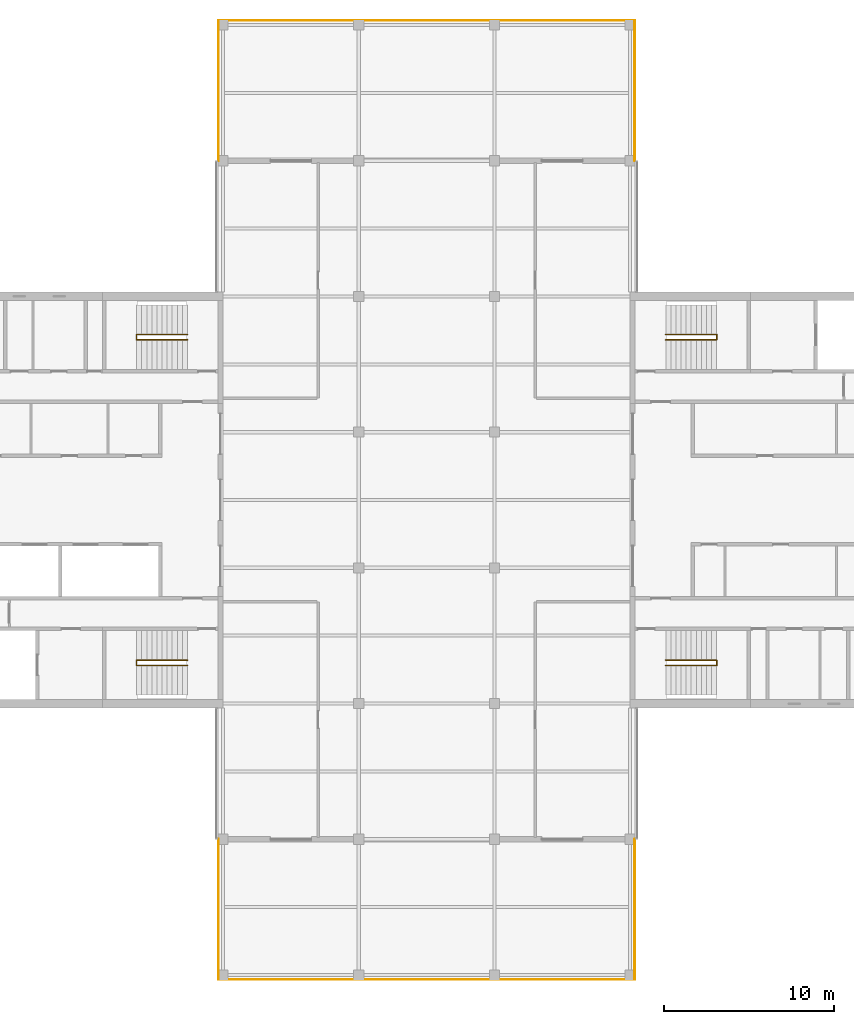
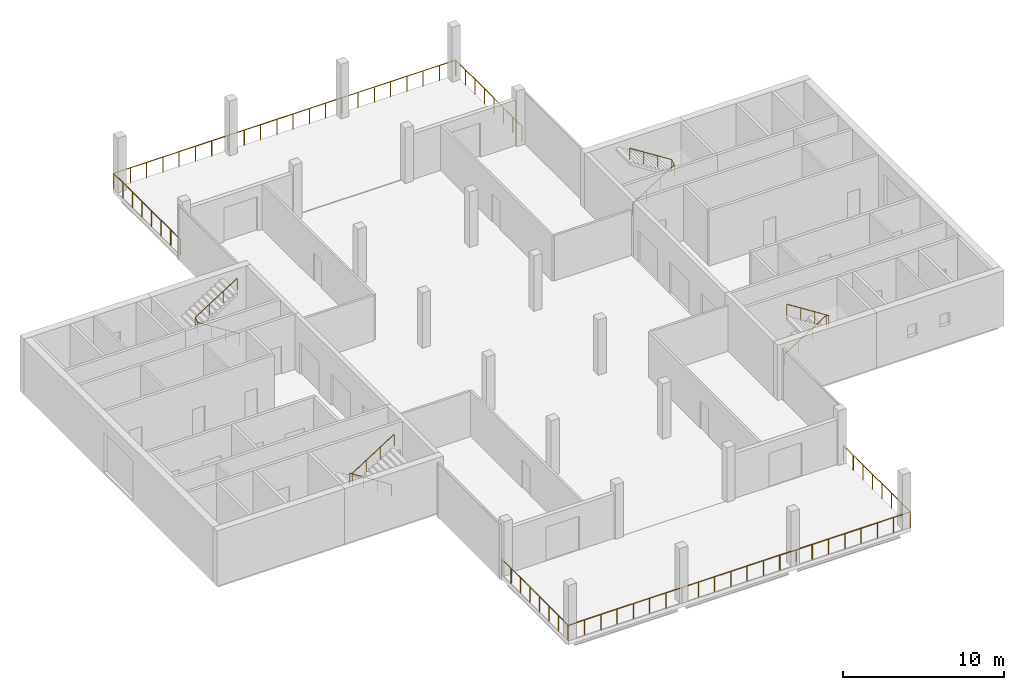
# One storey, part 12 of 12: 10 railings.
"""IFC4 building model written with IfcOpenShell, lengths in metres."""

from ifc_helpers import new_model, si_unit, direction, frame, origin, origin_2d, place, context, subcontext, project, spatial, circle, extrude, material, type_object, element, save


model = new_model("IFC4")

# Units and contexts
model_context = context("Model", 3, precision=1e-05, world=origin(), true_north=direction((0.0, 1.0)))
body_context = subcontext(model_context, "Body", "Model", "MODEL_VIEW")
ifc_project = project(units=[si_unit("LENGTHUNIT", "METRE"), si_unit("AREAUNIT", "SQUARE_METRE"), si_unit("VOLUMEUNIT", "CUBIC_METRE"), si_unit("PLANEANGLEUNIT", "RADIAN"), si_unit("MASSUNIT", "GRAM", prefix="KILO")], contexts=[model_context])

# Site, building, storey
site_placement = place(None, origin())
site = spatial("IfcSite", under=ifc_project, at=site_placement, CompositionType="ELEMENT")
building_placement = place(site_placement, origin())
building = spatial("IfcBuilding", under=site, at=building_placement, Name="Crosswind Convention Tower", CompositionType="ELEMENT")
storey_placement = place(building_placement, frame((0.0, 0.0, 328.10009765625)))
storey = spatial("IfcBuildingStorey", under=building, at=storey_placement, Name="L71", CompositionType="ELEMENT", Elevation=328.10009765625)

# Railings
ifc_material_1 = material(Name="Stainless steel", Category="steel")
railing_type_1 = type_object("IfcRailingType", Name="Stair handrail 900", PredefinedType="HANDRAIL", material=ifc_material_1)
railing_1_placement = place(storey_placement, frame((139.10009765625, 109.43994140625, 0.19091796875)))
element("IfcRailing", 1, at=railing_1_placement, inside=storey, type_object=railing_type_1, Name="Stair ST1 handrail L71", PredefinedType="HANDRAIL", context=body_context, shape_type="SweptSolid", body=[
    extrude(circle(Radius=0.02392578125, at=origin_2d()), frame((0.0, 0.0, 0.8759765625), z_axis=(0.843681277094, 0.0, 0.536844393359), x_axis=(0.0, 1.0, 0.0)), (0.0, 0.0, 1.0), 3.555908203125),
    extrude(circle(Radius=0.02392578125, at=origin_2d()), frame((3.0, 0.0, 2.78466796875), z_axis=(0.0, 0.858819504967, 0.512278301208), x_axis=(-1.0, 0.0, 0.0)), (0.0, 0.0, 1.0), 0.372802734375),
    extrude(circle(Radius=0.02392578125, at=origin_2d()), frame((3.0, 0.320068359375, 2.9755859375), z_axis=(-0.843650179428, 0.0, 0.536893261973), x_axis=(0.0, -1.0, 0.0)), (0.0, 0.0, 1.0), 3.555908203125),
    extrude(circle(Radius=0.02099609375, at=origin_2d()), origin(), (0.0, 0.0, 1.0), 0.851806640625),
    extrude(circle(Radius=0.02099609375, at=origin_2d()), frame((1.0, 0.0, 0.63623046875)), (0.0, 0.0, 1.0), 0.851806640625),
    extrude(circle(Radius=0.02099609375, at=origin_2d()), frame((2.0, 0.0, 1.272705078125)), (0.0, 0.0, 1.0), 0.851806640625),
    extrude(circle(Radius=0.02099609375, at=origin_2d()), frame((3.0, 0.0, 1.908935546875)), (0.0, 0.0, 1.0), 0.851806640625),
    extrude(circle(Radius=0.02099609375, at=origin_2d()), frame((3.0, 0.320068359375, 2.099853515625)), (0.0, 0.0, 1.0), 0.851806640625),
    extrude(circle(Radius=0.02099609375, at=origin_2d()), frame((2.0, 0.320068359375, 2.736328125)), (0.0, 0.0, 1.0), 0.851806640625),
    extrude(circle(Radius=0.02099609375, at=origin_2d()), frame((1.0, 0.320068359375, 3.37255859375)), (0.0, 0.0, 1.0), 0.851806640625),
    extrude(circle(Radius=0.02099609375, at=origin_2d()), frame((0.0, 0.320068359375, 4.009033203125)), (0.0, 0.0, 1.0), 0.851806640625),
])
railing_2_placement = place(storey_placement, frame((139.10009765625, 90.56005859375, 0.19091796875)))
element("IfcRailing", 2, at=railing_2_placement, inside=storey, type_object=railing_type_1, Name="Stair ST2 handrail L71", PredefinedType="HANDRAIL", context=body_context, shape_type="SweptSolid", body=[
    extrude(circle(Radius=0.02392578125, at=origin_2d()), frame((0.0, 0.0, 0.8759765625), z_axis=(0.843681277094, 0.0, 0.536844393359), x_axis=(0.0, 1.0, 0.0)), (0.0, 0.0, 1.0), 3.555908203125),
    extrude(circle(Radius=0.02392578125, at=origin_2d()), frame((3.0, 0.0, 2.78466796875), z_axis=(0.0, -0.858819504967, 0.512278301208), x_axis=(1.0, 0.0, 0.0)), (0.0, 0.0, 1.0), 0.372802734375),
    extrude(circle(Radius=0.02392578125, at=origin_2d()), frame((3.0, -0.320068359375, 2.9755859375), z_axis=(-0.843650179428, 0.0, 0.536893261973), x_axis=(0.0, -1.0, 0.0)), (0.0, 0.0, 1.0), 3.555908203125),
    extrude(circle(Radius=0.02099609375, at=origin_2d()), origin(), (0.0, 0.0, 1.0), 0.851806640625),
    extrude(circle(Radius=0.02099609375, at=origin_2d()), frame((1.0, 0.0, 0.63623046875)), (0.0, 0.0, 1.0), 0.851806640625),
    extrude(circle(Radius=0.02099609375, at=origin_2d()), frame((2.0, 0.0, 1.272705078125)), (0.0, 0.0, 1.0), 0.851806640625),
    extrude(circle(Radius=0.02099609375, at=origin_2d()), frame((3.0, 0.0, 1.908935546875)), (0.0, 0.0, 1.0), 0.851806640625),
    extrude(circle(Radius=0.02099609375, at=origin_2d()), frame((3.0, -0.320068359375, 2.099853515625)), (0.0, 0.0, 1.0), 0.851806640625),
    extrude(circle(Radius=0.02099609375, at=origin_2d()), frame((2.0, -0.320068359375, 2.736328125)), (0.0, 0.0, 1.0), 0.851806640625),
    extrude(circle(Radius=0.02099609375, at=origin_2d()), frame((1.0, -0.320068359375, 3.37255859375)), (0.0, 0.0, 1.0), 0.851806640625),
    extrude(circle(Radius=0.02099609375, at=origin_2d()), frame((0.0, -0.320068359375, 4.009033203125)), (0.0, 0.0, 1.0), 0.851806640625),
])
railing_3_placement = place(storey_placement, frame((110.89990234375, 90.56005859375, 0.19091796875)))
element("IfcRailing", 3, at=railing_3_placement, inside=storey, type_object=railing_type_1, Name="Stair ST3 handrail L71", PredefinedType="HANDRAIL", context=body_context, shape_type="SweptSolid", body=[
    extrude(circle(Radius=0.02392578125, at=origin_2d()), frame((0.0, 0.0, 0.8759765625), z_axis=(-0.843681277094, 0.0, 0.536844393359), x_axis=(0.0, -1.0, 0.0)), (0.0, 0.0, 1.0), 3.555908203125),
    extrude(circle(Radius=0.02392578125, at=origin_2d()), frame((-3.0, 0.0, 2.78466796875), z_axis=(0.0, -0.858819504967, 0.512278301208), x_axis=(1.0, 0.0, 0.0)), (0.0, 0.0, 1.0), 0.372802734375),
    extrude(circle(Radius=0.02392578125, at=origin_2d()), frame((-3.0, -0.320068359375, 2.9755859375), z_axis=(0.843650179428, 0.0, 0.536893261973), x_axis=(0.0, 1.0, 0.0)), (0.0, 0.0, 1.0), 3.555908203125),
    extrude(circle(Radius=0.02099609375, at=origin_2d()), origin(), (0.0, 0.0, 1.0), 0.851806640625),
    extrude(circle(Radius=0.02099609375, at=origin_2d()), frame((-1.0, 0.0, 0.63623046875)), (0.0, 0.0, 1.0), 0.851806640625),
    extrude(circle(Radius=0.02099609375, at=origin_2d()), frame((-2.0, 0.0, 1.272705078125)), (0.0, 0.0, 1.0), 0.851806640625),
    extrude(circle(Radius=0.02099609375, at=origin_2d()), frame((-3.0, 0.0, 1.908935546875)), (0.0, 0.0, 1.0), 0.851806640625),
    extrude(circle(Radius=0.02099609375, at=origin_2d()), frame((-3.0, -0.320068359375, 2.099853515625)), (0.0, 0.0, 1.0), 0.851806640625),
    extrude(circle(Radius=0.02099609375, at=origin_2d()), frame((-2.0, -0.320068359375, 2.736328125)), (0.0, 0.0, 1.0), 0.851806640625),
    extrude(circle(Radius=0.02099609375, at=origin_2d()), frame((-1.0, -0.320068359375, 3.37255859375)), (0.0, 0.0, 1.0), 0.851806640625),
    extrude(circle(Radius=0.02099609375, at=origin_2d()), frame((0.0, -0.320068359375, 4.009033203125)), (0.0, 0.0, 1.0), 0.851806640625),
])
railing_4_placement = place(storey_placement, frame((110.89990234375, 109.43994140625, 0.19091796875)))
element("IfcRailing", 4, at=railing_4_placement, inside=storey, type_object=railing_type_1, Name="Stair ST4 handrail L71", PredefinedType="HANDRAIL", context=body_context, shape_type="SweptSolid", body=[
    extrude(circle(Radius=0.02392578125, at=origin_2d()), frame((0.0, 0.0, 0.8759765625), z_axis=(-0.843681277094, 0.0, 0.536844393359), x_axis=(0.0, -1.0, 0.0)), (0.0, 0.0, 1.0), 3.555908203125),
    extrude(circle(Radius=0.02392578125, at=origin_2d()), frame((-3.0, 0.0, 2.78466796875), z_axis=(0.0, 0.858819504967, 0.512278301208), x_axis=(-1.0, 0.0, 0.0)), (0.0, 0.0, 1.0), 0.372802734375),
    extrude(circle(Radius=0.02392578125, at=origin_2d()), frame((-3.0, 0.320068359375, 2.9755859375), z_axis=(0.843650179428, 0.0, 0.536893261973), x_axis=(0.0, 1.0, 0.0)), (0.0, 0.0, 1.0), 3.555908203125),
    extrude(circle(Radius=0.02099609375, at=origin_2d()), origin(), (0.0, 0.0, 1.0), 0.851806640625),
    extrude(circle(Radius=0.02099609375, at=origin_2d()), frame((-1.0, 0.0, 0.63623046875)), (0.0, 0.0, 1.0), 0.851806640625),
    extrude(circle(Radius=0.02099609375, at=origin_2d()), frame((-2.0, 0.0, 1.272705078125)), (0.0, 0.0, 1.0), 0.851806640625),
    extrude(circle(Radius=0.02099609375, at=origin_2d()), frame((-3.0, 0.0, 1.908935546875)), (0.0, 0.0, 1.0), 0.851806640625),
    extrude(circle(Radius=0.02099609375, at=origin_2d()), frame((-3.0, 0.320068359375, 2.099853515625)), (0.0, 0.0, 1.0), 0.851806640625),
    extrude(circle(Radius=0.02099609375, at=origin_2d()), frame((-2.0, 0.320068359375, 2.736328125)), (0.0, 0.0, 1.0), 0.851806640625),
    extrude(circle(Radius=0.02099609375, at=origin_2d()), frame((-1.0, 0.320068359375, 3.37255859375)), (0.0, 0.0, 1.0), 0.851806640625),
    extrude(circle(Radius=0.02099609375, at=origin_2d()), frame((0.0, 0.320068359375, 4.009033203125)), (0.0, 0.0, 1.0), 0.851806640625),
])
ifc_material_2 = material(Name="Stainless steel guard", Category="steel")
railing_type_2 = type_object("IfcRailingType", Name="WIND FLOOR GUARD 1200", PredefinedType="GUARDRAIL", material=ifc_material_2)
railing_5_placement = place(storey_placement, frame((112.72509765625, 119.989990234375, 0.0)))
element("IfcRailing", 5, at=railing_5_placement, inside=storey, type_object=railing_type_2, Name="R12 guard L71 1", PredefinedType="GUARDRAIL", context=body_context, shape_type="SweptSolid", body=[
    extrude(circle(Radius=0.01904296875, at=origin_2d()), frame((0.0, 0.0, 1.180908203125), z_axis=(0.0, 1.0, 0.0), x_axis=(-1.0, 0.0, 0.0)), (0.0, 0.0, 1.0), 8.284912109375),
    extrude(circle(Radius=0.01611328125, at=origin_2d()), origin(), (0.0, 0.0, 1.0), 1.161865234375),
    extrude(circle(Radius=0.01611328125, at=origin_2d()), frame((0.0, 1.18359375, 0.0)), (0.0, 0.0, 1.0), 1.161865234375),
    extrude(circle(Radius=0.01611328125, at=origin_2d()), frame((0.0, 2.3671875, 0.0)), (0.0, 0.0, 1.0), 1.161865234375),
    extrude(circle(Radius=0.01611328125, at=origin_2d()), frame((0.0, 3.55078125, 0.0)), (0.0, 0.0, 1.0), 1.161865234375),
    extrude(circle(Radius=0.01611328125, at=origin_2d()), frame((0.0, 4.734130859375, 0.0)), (0.0, 0.0, 1.0), 1.161865234375),
    extrude(circle(Radius=0.01611328125, at=origin_2d()), frame((0.0, 5.917724609375, 0.0)), (0.0, 0.0, 1.0), 1.161865234375),
    extrude(circle(Radius=0.01611328125, at=origin_2d()), frame((0.0, 7.101318359375, 0.0)), (0.0, 0.0, 1.0), 1.161865234375),
    extrude(circle(Radius=0.01611328125, at=origin_2d()), frame((0.0, 8.284912109375, 0.0)), (0.0, 0.0, 1.0), 1.161865234375),
])
railing_6_placement = place(storey_placement, frame((112.764892578125, 128.27490234375, 0.0)))
element("IfcRailing", 6, at=railing_6_placement, inside=storey, type_object=railing_type_2, Name="R12 guard L71 2", PredefinedType="GUARDRAIL", context=body_context, shape_type="SweptSolid", body=[
    extrude(circle(Radius=0.01904296875, at=origin_2d()), frame((0.0, 0.0, 1.180908203125), z_axis=(1.0, 0.0, 0.0), x_axis=(0.0, 1.0, 0.0)), (0.0, 0.0, 1.0), 24.510009765625),
    extrude(circle(Radius=0.01611328125, at=origin_2d()), origin(), (0.0, 0.0, 1.0), 1.161865234375),
    extrude(circle(Radius=0.01611328125, at=origin_2d()), frame((1.167236328125, 0.0, 0.0)), (0.0, 0.0, 1.0), 1.161865234375),
    extrude(circle(Radius=0.01611328125, at=origin_2d()), frame((2.334228515625, 0.0, 0.0)), (0.0, 0.0, 1.0), 1.161865234375),
    extrude(circle(Radius=0.01611328125, at=origin_2d()), frame((3.50146484375, 0.0, 0.0)), (0.0, 0.0, 1.0), 1.161865234375),
    extrude(circle(Radius=0.01611328125, at=origin_2d()), frame((4.66845703125, 0.0, 0.0)), (0.0, 0.0, 1.0), 1.161865234375),
    extrude(circle(Radius=0.01611328125, at=origin_2d()), frame((5.835693359375, 0.0, 0.0)), (0.0, 0.0, 1.0), 1.161865234375),
    extrude(circle(Radius=0.01611328125, at=origin_2d()), frame((7.0029296875, 0.0, 0.0)), (0.0, 0.0, 1.0), 1.161865234375),
    extrude(circle(Radius=0.01611328125, at=origin_2d()), frame((8.169921875, 0.0, 0.0)), (0.0, 0.0, 1.0), 1.161865234375),
    extrude(circle(Radius=0.01611328125, at=origin_2d()), frame((9.337158203125, 0.0, 0.0)), (0.0, 0.0, 1.0), 1.161865234375),
    extrude(circle(Radius=0.01611328125, at=origin_2d()), frame((10.50439453125, 0.0, 0.0)), (0.0, 0.0, 1.0), 1.161865234375),
    extrude(circle(Radius=0.01611328125, at=origin_2d()), frame((11.67138671875, 0.0, 0.0)), (0.0, 0.0, 1.0), 1.161865234375),
    extrude(circle(Radius=0.01611328125, at=origin_2d()), frame((12.838623046875, 0.0, 0.0)), (0.0, 0.0, 1.0), 1.161865234375),
    extrude(circle(Radius=0.01611328125, at=origin_2d()), frame((14.005615234375, 0.0, 0.0)), (0.0, 0.0, 1.0), 1.161865234375),
    extrude(circle(Radius=0.01611328125, at=origin_2d()), frame((15.1728515625, 0.0, 0.0)), (0.0, 0.0, 1.0), 1.161865234375),
    extrude(circle(Radius=0.01611328125, at=origin_2d()), frame((16.340087890625, 0.0, 0.0)), (0.0, 0.0, 1.0), 1.161865234375),
    extrude(circle(Radius=0.01611328125, at=origin_2d()), frame((17.507080078125, 0.0, 0.0)), (0.0, 0.0, 1.0), 1.161865234375),
    extrude(circle(Radius=0.01611328125, at=origin_2d()), frame((18.67431640625, 0.0, 0.0)), (0.0, 0.0, 1.0), 1.161865234375),
    extrude(circle(Radius=0.01611328125, at=origin_2d()), frame((19.841552734375, 0.0, 0.0)), (0.0, 0.0, 1.0), 1.161865234375),
    extrude(circle(Radius=0.01611328125, at=origin_2d()), frame((21.008544921875, 0.0, 0.0)), (0.0, 0.0, 1.0), 1.161865234375),
    extrude(circle(Radius=0.01611328125, at=origin_2d()), frame((22.17578125, 0.0, 0.0)), (0.0, 0.0, 1.0), 1.161865234375),
    extrude(circle(Radius=0.01611328125, at=origin_2d()), frame((23.3427734375, 0.0, 0.0)), (0.0, 0.0, 1.0), 1.161865234375),
    extrude(circle(Radius=0.01611328125, at=origin_2d()), frame((24.510009765625, 0.0, 0.0)), (0.0, 0.0, 1.0), 1.161865234375),
])
railing_7_placement = place(storey_placement, frame((137.27490234375, 128.235107421875, 0.0)))
element("IfcRailing", 7, at=railing_7_placement, inside=storey, type_object=railing_type_2, Name="R12 guard L71 3", PredefinedType="GUARDRAIL", context=body_context, shape_type="SweptSolid", body=[
    extrude(circle(Radius=0.01904296875, at=origin_2d()), frame((0.0, 0.0, 1.180908203125), z_axis=(0.0, -1.0, 0.0), x_axis=(1.0, 0.0, 0.0)), (0.0, 0.0, 1.0), 8.2451171875),
    extrude(circle(Radius=0.01611328125, at=origin_2d()), origin(), (0.0, 0.0, 1.0), 1.161865234375),
    extrude(circle(Radius=0.01611328125, at=origin_2d()), frame((0.0, -1.177978515625, 0.0)), (0.0, 0.0, 1.0), 1.161865234375),
    extrude(circle(Radius=0.01611328125, at=origin_2d()), frame((0.0, -2.355712890625, 0.0)), (0.0, 0.0, 1.0), 1.161865234375),
    extrude(circle(Radius=0.01611328125, at=origin_2d()), frame((0.0, -3.53369140625, 0.0)), (0.0, 0.0, 1.0), 1.161865234375),
    extrude(circle(Radius=0.01611328125, at=origin_2d()), frame((0.0, -4.71142578125, 0.0)), (0.0, 0.0, 1.0), 1.161865234375),
    extrude(circle(Radius=0.01611328125, at=origin_2d()), frame((0.0, -5.889404296875, 0.0)), (0.0, 0.0, 1.0), 1.161865234375),
    extrude(circle(Radius=0.01611328125, at=origin_2d()), frame((0.0, -7.067138671875, 0.0)), (0.0, 0.0, 1.0), 1.161865234375),
    extrude(circle(Radius=0.01611328125, at=origin_2d()), frame((0.0, -8.2451171875, 0.0)), (0.0, 0.0, 1.0), 1.161865234375),
])
railing_8_placement = place(storey_placement, frame((137.27490234375, 80.010009765625, 0.0)))
element("IfcRailing", 8, at=railing_8_placement, inside=storey, type_object=railing_type_2, Name="R12 guard L71 4", PredefinedType="GUARDRAIL", context=body_context, shape_type="SweptSolid", body=[
    extrude(circle(Radius=0.01904296875, at=origin_2d()), frame((0.0, 0.0, 1.180908203125), z_axis=(0.0, -1.0, 0.0), x_axis=(1.0, 0.0, 0.0)), (0.0, 0.0, 1.0), 8.284912109375),
    extrude(circle(Radius=0.01611328125, at=origin_2d()), origin(), (0.0, 0.0, 1.0), 1.161865234375),
    extrude(circle(Radius=0.01611328125, at=origin_2d()), frame((0.0, -1.18359375, 0.0)), (0.0, 0.0, 1.0), 1.161865234375),
    extrude(circle(Radius=0.01611328125, at=origin_2d()), frame((0.0, -2.3671875, 0.0)), (0.0, 0.0, 1.0), 1.161865234375),
    extrude(circle(Radius=0.01611328125, at=origin_2d()), frame((0.0, -3.55078125, 0.0)), (0.0, 0.0, 1.0), 1.161865234375),
    extrude(circle(Radius=0.01611328125, at=origin_2d()), frame((0.0, -4.734130859375, 0.0)), (0.0, 0.0, 1.0), 1.161865234375),
    extrude(circle(Radius=0.01611328125, at=origin_2d()), frame((0.0, -5.917724609375, 0.0)), (0.0, 0.0, 1.0), 1.161865234375),
    extrude(circle(Radius=0.01611328125, at=origin_2d()), frame((0.0, -7.101318359375, 0.0)), (0.0, 0.0, 1.0), 1.161865234375),
    extrude(circle(Radius=0.01611328125, at=origin_2d()), frame((0.0, -8.284912109375, 0.0)), (0.0, 0.0, 1.0), 1.161865234375),
])
railing_9_placement = place(storey_placement, frame((137.235107421875, 71.72509765625, 0.0)))
element("IfcRailing", 9, at=railing_9_placement, inside=storey, type_object=railing_type_2, Name="R12 guard L71 5", PredefinedType="GUARDRAIL", context=body_context, shape_type="SweptSolid", body=[
    extrude(circle(Radius=0.01904296875, at=origin_2d()), frame((0.0, 0.0, 1.180908203125), z_axis=(-1.0, 0.0, 0.0), x_axis=(0.0, -1.0, 0.0)), (0.0, 0.0, 1.0), 24.510009765625),
    extrude(circle(Radius=0.01611328125, at=origin_2d()), origin(), (0.0, 0.0, 1.0), 1.161865234375),
    extrude(circle(Radius=0.01611328125, at=origin_2d()), frame((-1.167236328125, 0.0, 0.0)), (0.0, 0.0, 1.0), 1.161865234375),
    extrude(circle(Radius=0.01611328125, at=origin_2d()), frame((-2.334228515625, 0.0, 0.0)), (0.0, 0.0, 1.0), 1.161865234375),
    extrude(circle(Radius=0.01611328125, at=origin_2d()), frame((-3.50146484375, 0.0, 0.0)), (0.0, 0.0, 1.0), 1.161865234375),
    extrude(circle(Radius=0.01611328125, at=origin_2d()), frame((-4.66845703125, 0.0, 0.0)), (0.0, 0.0, 1.0), 1.161865234375),
    extrude(circle(Radius=0.01611328125, at=origin_2d()), frame((-5.835693359375, 0.0, 0.0)), (0.0, 0.0, 1.0), 1.161865234375),
    extrude(circle(Radius=0.01611328125, at=origin_2d()), frame((-7.0029296875, 0.0, 0.0)), (0.0, 0.0, 1.0), 1.161865234375),
    extrude(circle(Radius=0.01611328125, at=origin_2d()), frame((-8.169921875, 0.0, 0.0)), (0.0, 0.0, 1.0), 1.161865234375),
    extrude(circle(Radius=0.01611328125, at=origin_2d()), frame((-9.337158203125, 0.0, 0.0)), (0.0, 0.0, 1.0), 1.161865234375),
    extrude(circle(Radius=0.01611328125, at=origin_2d()), frame((-10.50439453125, 0.0, 0.0)), (0.0, 0.0, 1.0), 1.161865234375),
    extrude(circle(Radius=0.01611328125, at=origin_2d()), frame((-11.67138671875, 0.0, 0.0)), (0.0, 0.0, 1.0), 1.161865234375),
    extrude(circle(Radius=0.01611328125, at=origin_2d()), frame((-12.838623046875, 0.0, 0.0)), (0.0, 0.0, 1.0), 1.161865234375),
    extrude(circle(Radius=0.01611328125, at=origin_2d()), frame((-14.005615234375, 0.0, 0.0)), (0.0, 0.0, 1.0), 1.161865234375),
    extrude(circle(Radius=0.01611328125, at=origin_2d()), frame((-15.1728515625, 0.0, 0.0)), (0.0, 0.0, 1.0), 1.161865234375),
    extrude(circle(Radius=0.01611328125, at=origin_2d()), frame((-16.340087890625, 0.0, 0.0)), (0.0, 0.0, 1.0), 1.161865234375),
    extrude(circle(Radius=0.01611328125, at=origin_2d()), frame((-17.507080078125, 0.0, 0.0)), (0.0, 0.0, 1.0), 1.161865234375),
    extrude(circle(Radius=0.01611328125, at=origin_2d()), frame((-18.67431640625, 0.0, 0.0)), (0.0, 0.0, 1.0), 1.161865234375),
    extrude(circle(Radius=0.01611328125, at=origin_2d()), frame((-19.841552734375, 0.0, 0.0)), (0.0, 0.0, 1.0), 1.161865234375),
    extrude(circle(Radius=0.01611328125, at=origin_2d()), frame((-21.008544921875, 0.0, 0.0)), (0.0, 0.0, 1.0), 1.161865234375),
    extrude(circle(Radius=0.01611328125, at=origin_2d()), frame((-22.17578125, 0.0, 0.0)), (0.0, 0.0, 1.0), 1.161865234375),
    extrude(circle(Radius=0.01611328125, at=origin_2d()), frame((-23.3427734375, 0.0, 0.0)), (0.0, 0.0, 1.0), 1.161865234375),
    extrude(circle(Radius=0.01611328125, at=origin_2d()), frame((-24.510009765625, 0.0, 0.0)), (0.0, 0.0, 1.0), 1.161865234375),
])
railing_10_placement = place(storey_placement, frame((112.72509765625, 71.764892578125, 0.0)))
element("IfcRailing", 10, at=railing_10_placement, inside=storey, type_object=railing_type_2, Name="R12 guard L71 6", PredefinedType="GUARDRAIL", context=body_context, shape_type="SweptSolid", body=[
    extrude(circle(Radius=0.01904296875, at=origin_2d()), frame((0.0, 0.0, 1.180908203125), z_axis=(0.0, 1.0, 0.0), x_axis=(-1.0, 0.0, 0.0)), (0.0, 0.0, 1.0), 8.2451171875),
    extrude(circle(Radius=0.01611328125, at=origin_2d()), origin(), (0.0, 0.0, 1.0), 1.161865234375),
    extrude(circle(Radius=0.01611328125, at=origin_2d()), frame((0.0, 1.177978515625, 0.0)), (0.0, 0.0, 1.0), 1.161865234375),
    extrude(circle(Radius=0.01611328125, at=origin_2d()), frame((0.0, 2.355712890625, 0.0)), (0.0, 0.0, 1.0), 1.161865234375),
    extrude(circle(Radius=0.01611328125, at=origin_2d()), frame((0.0, 3.53369140625, 0.0)), (0.0, 0.0, 1.0), 1.161865234375),
    extrude(circle(Radius=0.01611328125, at=origin_2d()), frame((0.0, 4.71142578125, 0.0)), (0.0, 0.0, 1.0), 1.161865234375),
    extrude(circle(Radius=0.01611328125, at=origin_2d()), frame((0.0, 5.889404296875, 0.0)), (0.0, 0.0, 1.0), 1.161865234375),
    extrude(circle(Radius=0.01611328125, at=origin_2d()), frame((0.0, 7.067138671875, 0.0)), (0.0, 0.0, 1.0), 1.161865234375),
    extrude(circle(Radius=0.01611328125, at=origin_2d()), frame((0.0, 8.2451171875, 0.0)), (0.0, 0.0, 1.0), 1.161865234375),
])

save(model, "model.ifc")
